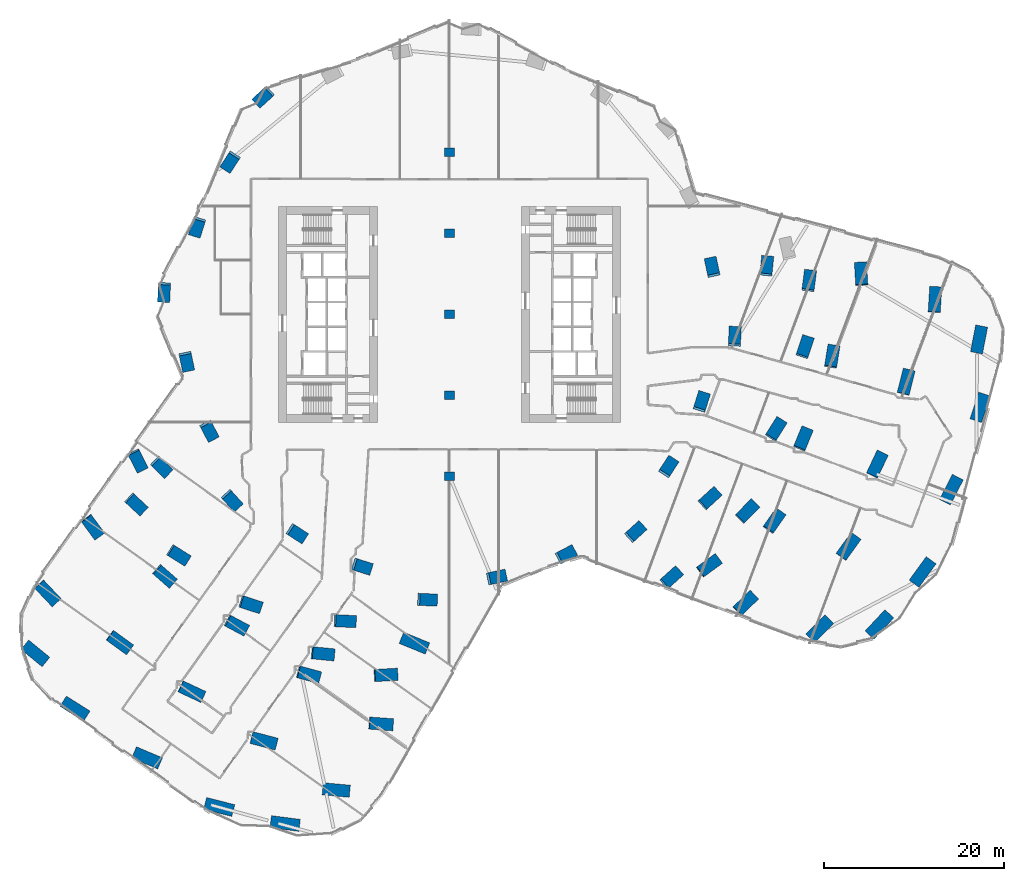
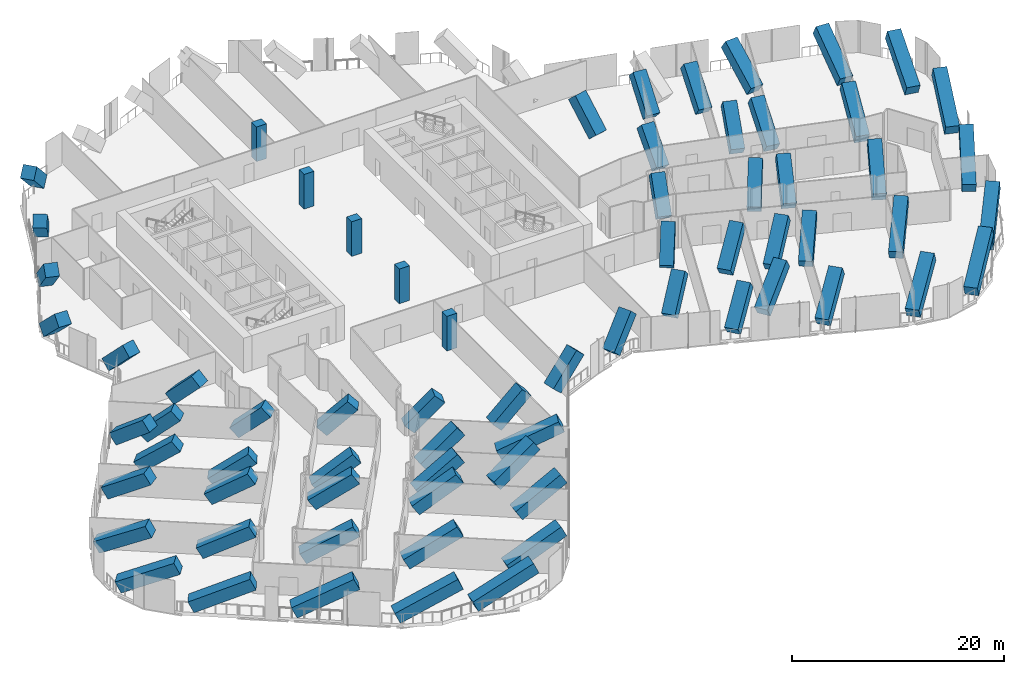
# One storey, part 1 of 34: 69 columns.
"""IFC4 building model written with IfcOpenShell, lengths in metres."""

from ifc_helpers import new_model, si_unit, direction, frame, origin, origin_2d, place, context, subcontext, project, spatial, rectangle, extrude, material, material_profile, profile_set, type_object, element, save


model = new_model("IFC4")

# Units and contexts
model_context = context("Model", 3, precision=1e-05, world=origin(), true_north=direction((0.0, 1.0)))
body_context = subcontext(model_context, "Body", "Model", "MODEL_VIEW")
ifc_project = project(units=[si_unit("LENGTHUNIT", "METRE"), si_unit("AREAUNIT", "SQUARE_METRE"), si_unit("VOLUMEUNIT", "CUBIC_METRE"), si_unit("PLANEANGLEUNIT", "RADIAN"), si_unit("MASSUNIT", "GRAM", prefix="KILO")], contexts=[model_context])

# Site, building, storey
site_placement = place(None, origin())
site = spatial("IfcSite", under=ifc_project, at=site_placement, CompositionType="ELEMENT")
building_placement = place(site_placement, origin())
building = spatial("IfcBuilding", under=site, at=building_placement, Name="Orlundy Tower", CompositionType="ELEMENT")
storey_placement = place(building_placement, frame((0.0, 0.0, 98.199951171875)))
storey = spatial("IfcBuildingStorey", under=building, at=storey_placement, Name="L24", CompositionType="ELEMENT", Elevation=98.199951171875)

# Columns
ifc_material_1 = material(Name="Concrete C80/95", Category="concrete")
ifc_material_profile_1 = material_profile(ifc_material_1, rectangle(XDim=1.10009765625, YDim=0.949951171875, at=origin_2d()), Name="RC1100X950")
ifc_profile_set_1 = profile_set([ifc_material_profile_1], Name="Concrete C80/95")
column_type_1 = type_object("IfcColumnType", Name="RC COLUMN RC1100X950 C80/95", PredefinedType="COLUMN", material=ifc_profile_set_1)
for number, where, z_axis, x_axis, name in (
    (1, (0.0, -18.0, 0.0), (0.0, 0.0, 1.0), (1.0, 0.0, 0.0), "Column C-M1 L24"),
    (2, (0.0, -9.0, 0.0), (0.0, 0.0, 1.0), (1.0, 0.0, 0.0), "Column C-M2 L24"),
    (3, (0.0, 0.0, 0.0), (0.0, 0.0, 1.0), (1.0, 0.0, 0.0), "Column C-M3 L24"),
    (4, (0.0, 9.0, 0.0), (0.0, 0.0, 1.0), (1.0, 0.0, 0.0), "Column C-M4 L24"),
    (5, (0.0, 18.0, 0.0), (0.0, 0.0, 1.0), (1.0, 0.0, 0.0), "Column C-M5 L24"),
):
    element("IfcColumn", number, at=place(storey_placement, frame(where, z_axis=z_axis, x_axis=x_axis)), inside=storey, type_object=column_type_1, Name=name, PredefinedType="COLUMN", context=body_context, shape_type="SweptSolid", body=[
        extrude(rectangle(XDim=1.10009765625, YDim=0.949951171875, at=origin_2d()), origin(), (0.0, 0.0, 1.0), 4.0),
    ])
ifc_material_2 = material(Name="Concrete C80/95", Category="concrete")
ifc_material_profile_2 = material_profile(ifc_material_2, rectangle(XDim=1.35009765625, YDim=1.35009765625, at=origin_2d()), Name="RC1350X1350")
ifc_profile_set_2 = profile_set([ifc_material_profile_2], Name="Concrete C80/95")
column_type_2 = type_object("IfcColumnType", Name="RC COLUMN RC1350X1350 C80/95", PredefinedType="COLUMN", material=ifc_profile_set_2)
column_1_placement = place(storey_placement, frame((24.115966796875, -29.72802734375, 0.533447265625), z_axis=(0.588562936708, 0.527580412901, 0.612578629612), x_axis=(-0.667477186845, 0.744630247197, 0.0)))
element("IfcColumn", 6, at=column_1_placement, inside=storey, type_object=column_type_2, Name="Column C-A1-1 L24 strut", PredefinedType="COLUMN", context=body_context, shape_type="SweptSolid", body=[
    extrude(rectangle(XDim=1.35009765625, YDim=1.35009765625, at=origin_2d()), origin(), (0.0, 0.0, 1.0), 4.7880859375),
])
column_2_placement = place(storey_placement, frame((32.202880859375, -32.751953125, 0.57763671875), z_axis=(0.618121959681, 0.5918840743, 0.517299222453), x_axis=(-0.691611232129, 0.722269965867, 0.0)))
element("IfcColumn", 7, at=column_2_placement, inside=storey, type_object=column_type_2, Name="Column C-A1-2 L24 strut", PredefinedType="COLUMN", context=body_context, shape_type="SweptSolid", body=[
    extrude(rectangle(XDim=1.35009765625, YDim=1.35009765625, at=origin_2d()), origin(), (0.0, 0.0, 1.0), 5.499267578125),
])
column_3_placement = place(storey_placement, frame((40.291015625, -35.77099609375, 0.604736328125), z_axis=(0.633459537703, 0.633459537703, 0.444362496376), x_axis=(-0.707106781187, 0.707106781187, 0.0)))
element("IfcColumn", 8, at=column_3_placement, inside=storey, type_object=column_type_2, Name="Column C-A1-3 L24 strut", PredefinedType="COLUMN", context=body_context, shape_type="SweptSolid", body=[
    extrude(rectangle(XDim=1.35009765625, YDim=1.35009765625, at=origin_2d()), origin(), (0.0, 0.0, 1.0), 6.27978515625),
])
column_4_placement = place(storey_placement, frame((46.846923828125, -35.444091796875, 0.61669921875), z_axis=(0.623125024098, 0.667995482081, 0.406813520255), x_axis=(-0.731239489111, 0.682120817426, 0.0)))
element("IfcColumn", 9, at=column_4_placement, inside=storey, type_object=column_type_2, Name="Column C-A1-5 L24 strut", PredefinedType="COLUMN", context=body_context, shape_type="SweptSolid", body=[
    extrude(rectangle(XDim=1.35009765625, YDim=1.35009765625, at=origin_2d()), origin(), (0.0, 0.0, 1.0), 6.80126953125),
])
column_5_placement = place(storey_placement, frame((28.114013671875, -28.43994140625, 0.570068359375), z_axis=(0.681532831914, 0.498259654452, 0.535957382418), x_axis=(-0.590183693134, 0.807268981417, 0.0)))
element("IfcColumn", 10, at=column_5_placement, inside=storey, type_object=column_type_2, Name="Column C-A1-6 L24 strut", PredefinedType="COLUMN", context=body_context, shape_type="SweptSolid", body=[
    extrude(rectangle(XDim=1.35009765625, YDim=1.35009765625, at=origin_2d()), origin(), (0.0, 0.0, 1.0), 5.33642578125),
])
column_6_placement = place(storey_placement, frame((35.60009765625, -23.666015625, 0.562255859375), z_axis=(0.478128500861, 0.682101182208, 0.553291165568), x_axis=(-0.818860826557, 0.573992113822, 0.0)))
element("IfcColumn", 11, at=column_6_placement, inside=storey, type_object=column_type_2, Name="Column C-A2-2 L24 strut", PredefinedType="COLUMN", context=body_context, shape_type="SweptSolid", body=[
    extrude(rectangle(XDim=1.35009765625, YDim=1.35009765625, at=origin_2d()), origin(), (0.0, 0.0, 1.0), 5.197021484375),
])
column_7_placement = place(storey_placement, frame((43.68603515625, -26.68896484375, 0.595458984375), z_axis=(0.514338742712, 0.716602187148, 0.471101860663), x_axis=(-0.812401538839, 0.583098396235, 0.0)))
element("IfcColumn", 12, at=column_7_placement, inside=storey, type_object=column_type_2, Name="Column C-A2-3 L24 strut", PredefinedType="COLUMN", context=body_context, shape_type="SweptSolid", body=[
    extrude(rectangle(XDim=1.35009765625, YDim=1.35009765625, at=origin_2d()), origin(), (0.0, 0.0, 1.0), 5.962890625),
])
column_8_placement = place(storey_placement, frame((51.77294921875, -29.712890625, 0.6162109375), z_axis=(0.537996520315, 0.737539868968, 0.40816012276), x_axis=(-0.80789955536, 0.589320208757, 0.0)))
element("IfcColumn", 13, at=column_8_placement, inside=storey, type_object=column_type_2, Name="Column C-A2-5 L24 strut", PredefinedType="COLUMN", context=body_context, shape_type="SweptSolid", body=[
    extrude(rectangle(XDim=1.35009765625, YDim=1.35009765625, at=origin_2d()), origin(), (0.0, 0.0, 1.0), 6.780517578125),
])
column_9_placement = place(storey_placement, frame((32.47802734375, -22.4990234375, 0.561279296875), z_axis=(0.584827103489, 0.59100203301, 0.555602246218), x_axis=(-0.710810388634, 0.703383672977, 0.0)))
element("IfcColumn", 14, at=column_9_placement, inside=storey, type_object=column_type_2, Name="Column C-A2-6 L24 strut", PredefinedType="COLUMN", context=body_context, shape_type="SweptSolid", body=[
    extrude(rectangle(XDim=1.35009765625, YDim=1.35009765625, at=origin_2d()), origin(), (0.0, 0.0, 1.0), 5.179443359375),
])
column_10_placement = place(storey_placement, frame((28.35595703125, -20.9580078125, 0.541748046875), z_axis=(0.592646625432, 0.54132053184, 0.596441161534), x_axis=(-0.674410944875, 0.738356199563, 0.0)))
element("IfcColumn", 15, at=column_10_placement, inside=storey, type_object=column_type_2, Name="Column C-A2-7 L24 strut", PredefinedType="COLUMN", context=body_context, shape_type="SweptSolid", body=[
    extrude(rectangle(XDim=1.35009765625, YDim=1.35009765625, at=origin_2d()), origin(), (0.0, 0.0, 1.0), 4.889892578125),
])
column_11_placement = place(storey_placement, frame((38.9970703125, -14.580078125, 0.553466796875), z_axis=(0.310782507683, 0.758869548286, 0.572303452377), x_axis=(-0.925403354822, 0.378983681555, 0.0)))
element("IfcColumn", 16, at=column_11_placement, inside=storey, type_object=column_type_2, Name="Column C-A3-2 L24 strut", PredefinedType="COLUMN", context=body_context, shape_type="SweptSolid", body=[
    extrude(rectangle(XDim=1.35009765625, YDim=1.35009765625, at=origin_2d()), origin(), (0.0, 0.0, 1.0), 5.05517578125),
])
column_12_placement = place(storey_placement, frame((47.0830078125, -17.60400390625, 0.58935546875), z_axis=(0.372353666966, 0.789462395389, 0.487956835143), x_axis=(-0.904446734387, 0.42658657346, 0.0)))
element("IfcColumn", 17, at=column_12_placement, inside=storey, type_object=column_type_2, Name="Column C-A3-3 L24 strut", PredefinedType="COLUMN", context=body_context, shape_type="SweptSolid", body=[
    extrude(rectangle(XDim=1.35009765625, YDim=1.35009765625, at=origin_2d()), origin(), (0.0, 0.0, 1.0), 5.7822265625),
])
column_13_placement = place(storey_placement, frame((55.169921875, -20.626953125, 0.61181640625), z_axis=(0.416038371719, 0.805254732153, 0.422465252539), x_axis=(-0.888430364054, 0.459011424942, 0.0)))
element("IfcColumn", 18, at=column_13_placement, inside=storey, type_object=column_type_2, Name="Column C-A3-5 L24 strut", PredefinedType="COLUMN", context=body_context, shape_type="SweptSolid", body=[
    extrude(rectangle(XDim=1.35009765625, YDim=1.35009765625, at=origin_2d()), origin(), (0.0, 0.0, 1.0), 6.57177734375),
])
column_14_placement = place(storey_placement, frame((35.875, -13.4130859375, 0.5439453125), z_axis=(0.430023456329, 0.681544736858, 0.592095092589), x_axis=(-0.845727400457, 0.533615183551, 0.0)))
element("IfcColumn", 19, at=column_14_placement, inside=storey, type_object=column_type_2, Name="Column C-A3-6 L24 strut", PredefinedType="COLUMN", context=body_context, shape_type="SweptSolid", body=[
    extrude(rectangle(XDim=1.35009765625, YDim=1.35009765625, at=origin_2d()), origin(), (0.0, 0.0, 1.0), 4.918212890625),
])
column_15_placement = place(storey_placement, frame((42.39404296875, -5.4951171875, 0.55517578125), z_axis=(0.129284388945, 0.812363334327, 0.568639921054), x_axis=(-0.987571860443, 0.157168128006, 0.0)))
element("IfcColumn", 20, at=column_15_placement, inside=storey, type_object=column_type_2, Name="Column C-A4-2 L24 strut", PredefinedType="COLUMN", context=body_context, shape_type="SweptSolid", body=[
    extrude(rectangle(XDim=1.35009765625, YDim=1.35009765625, at=origin_2d()), origin(), (0.0, 0.0, 1.0), 5.081787109375),
])
column_16_placement = place(storey_placement, frame((50.47998046875, -8.51806640625, 0.588134765625), z_axis=(0.215420955051, 0.844110563968, 0.4909899876), x_axis=(-0.968944293567, 0.247279105393, 0.0)))
element("IfcColumn", 21, at=column_16_placement, inside=storey, type_object=column_type_2, Name="Column C-A4-3 L24 strut", PredefinedType="COLUMN", context=body_context, shape_type="SweptSolid", body=[
    extrude(rectangle(XDim=1.35009765625, YDim=1.35009765625, at=origin_2d()), origin(), (0.0, 0.0, 1.0), 5.751708984375),
])
column_17_placement = place(storey_placement, frame((58.56689453125, -11.541015625, 0.610107421875), z_axis=(0.280143722582, 0.859332883702, 0.427862699573), x_axis=(-0.950753812391, 0.309947073263, 0.0)))
element("IfcColumn", 22, at=column_17_placement, inside=storey, type_object=column_type_2, Name="Column C-A4-5 L24 strut", PredefinedType="COLUMN", context=body_context, shape_type="SweptSolid", body=[
    extrude(rectangle(XDim=1.35009765625, YDim=1.35009765625, at=origin_2d()), origin(), (0.0, 0.0, 1.0), 6.496826171875),
])
column_18_placement = place(storey_placement, frame((39.27197265625, -4.326904296875, 0.536865234375), z_axis=(0.249154364941, 0.755002493761, 0.606542114651), x_axis=(-0.949627323304, 0.313381471748, 0.0)))
element("IfcColumn", 23, at=column_18_placement, inside=storey, type_object=column_type_2, Name="Column C-A4-6 L24 strut", PredefinedType="COLUMN", context=body_context, shape_type="SweptSolid", body=[
    extrude(rectangle(XDim=1.35009765625, YDim=1.35009765625, at=origin_2d()), origin(), (0.0, 0.0, 1.0), 4.824951171875),
])
column_19_placement = place(storey_placement, frame((45.791015625, 3.591064453125, 0.566650390625), z_axis=(-0.048562293401, 0.83791945715, 0.543629181509), x_axis=(-0.998324781517, -0.057858712476, 0.0)))
element("IfcColumn", 24, at=column_19_placement, inside=storey, type_object=column_type_2, Name="Column C-A5-2 L24 strut", PredefinedType="COLUMN", context=body_context, shape_type="SweptSolid", body=[
    extrude(rectangle(XDim=1.35009765625, YDim=1.35009765625, at=origin_2d()), origin(), (0.0, 0.0, 1.0), 5.273681640625),
])
column_20_placement = place(storey_placement, frame((53.8759765625, 0.56396484375, 0.592529296875), z_axis=(0.055611757913, 0.876123997886, 0.478867489719), x_axis=(-0.997991544692, 0.063347270839, 0.0)))
element("IfcColumn", 25, at=column_20_placement, inside=storey, type_object=column_type_2, Name="Column C-A5-3 L24 strut", PredefinedType="COLUMN", context=body_context, shape_type="SweptSolid", body=[
    extrude(rectangle(XDim=1.35009765625, YDim=1.35009765625, at=origin_2d()), origin(), (0.0, 0.0, 1.0), 5.87841796875),
])
column_21_placement = place(storey_placement, frame((58.60888671875, -3.985107421875, 0.60546875), z_axis=(0.170386333784, 0.88047137983, 0.442423605337), x_axis=(-0.981785567068, 0.18999236905, 0.0)))
element("IfcColumn", 26, at=column_21_placement, inside=storey, type_object=column_type_2, Name="Column C-A5-5 L24 strut", PredefinedType="COLUMN", context=body_context, shape_type="SweptSolid", body=[
    extrude(rectangle(XDim=1.35009765625, YDim=1.35009765625, at=origin_2d()), origin(), (0.0, 0.0, 1.0), 6.3046875),
])
column_22_placement = place(storey_placement, frame((39.8759765625, 3.02001953125, 0.528076171875), z_axis=(0.100328455667, 0.775763177293, 0.622997346495), x_axis=(-0.991740509053, 0.128260526677, 0.0)))
element("IfcColumn", 27, at=column_22_placement, inside=storey, type_object=column_type_2, Name="Column C-A5-6 L24 strut", PredefinedType="COLUMN", context=body_context, shape_type="SweptSolid", body=[
    extrude(rectangle(XDim=1.35009765625, YDim=1.35009765625, at=origin_2d()), origin(), (0.0, 0.0, 1.0), 4.7255859375),
])
column_23_placement = place(storey_placement, frame((35.193115234375, 4.77099609375, 0.491943359375), z_axis=(0.073314548038, 0.725221081003, 0.684601607298), x_axis=(-0.994928969768, 0.100580043326, 0.0)))
element("IfcColumn", 28, at=column_23_placement, inside=storey, type_object=column_type_2, Name="Column C-A5-7 L24 strut", PredefinedType="COLUMN", context=body_context, shape_type="SweptSolid", body=[
    extrude(rectangle(XDim=1.35009765625, YDim=1.35009765625, at=origin_2d()), origin(), (0.0, 0.0, 1.0), 4.40576171875),
])
column_24_placement = place(storey_placement, frame((-34.95703125, -15.60009765625, 0.53369140625), z_axis=(0.357328867204, -0.705071857263, 0.612527351844), x_axis=(0.891988612188, 0.452057867675, 0.0)))
element("IfcColumn", 29, at=column_24_placement, inside=storey, type_object=column_type_2, Name="Column C-B1-1 L24 strut", PredefinedType="COLUMN", context=body_context, shape_type="SweptSolid", body=[
    extrude(rectangle(XDim=1.35009765625, YDim=1.35009765625, at=origin_2d()), origin(), (0.0, 0.0, 1.0), 4.7880859375),
])
column_25_placement = place(storey_placement, frame((-40.1640625, -22.89990234375, 0.566650390625), z_axis=(0.497397176201, -0.676050908792, 0.543646224882), x_axis=(0.805479866843, 0.592623138352, 0.0)))
element("IfcColumn", 30, at=column_25_placement, inside=storey, type_object=column_type_2, Name="Column C-B1-2 L24 strut", PredefinedType="COLUMN", context=body_context, shape_type="SweptSolid", body=[
    extrude(rectangle(XDim=1.35009765625, YDim=1.35009765625, at=origin_2d()), origin(), (0.0, 0.0, 1.0), 5.2734375),
])
column_26_placement = place(storey_placement, frame((-45.37109375, -30.199951171875, 0.592529296875), z_axis=(0.602031387632, -0.638952324691, 0.478850848468), x_axis=(0.727822118455, 0.685765968744, 0.0)))
element("IfcColumn", 31, at=column_26_placement, inside=storey, type_object=column_type_2, Name="Column C-B1-3 L24 strut", PredefinedType="COLUMN", context=body_context, shape_type="SweptSolid", body=[
    extrude(rectangle(XDim=1.35009765625, YDim=1.35009765625, at=origin_2d()), origin(), (0.0, 0.0, 1.0), 5.87841796875),
])
column_27_placement = place(storey_placement, frame((-46.94189453125, -36.89111328125, 0.60546875), z_axis=(0.693115832957, -0.569083763402, 0.442418481006), x_axis=(0.634565373969, 0.772869190846, 0.0)))
element("IfcColumn", 32, at=column_27_placement, inside=storey, type_object=column_type_2, Name="Column C-B1-5 L24 strut", PredefinedType="COLUMN", context=body_context, shape_type="SweptSolid", body=[
    extrude(rectangle(XDim=1.35009765625, YDim=1.35009765625, at=origin_2d()), origin(), (0.0, 0.0, 1.0), 6.3046875),
])
column_28_placement = place(storey_placement, frame((-35.327880859375, -20.60888671875, 0.528076171875), z_axis=(0.572340427973, -0.533233856624, 0.622967164991), x_axis=(0.681668558156, 0.731661107906, 0.0)))
element("IfcColumn", 33, at=column_28_placement, inside=storey, type_object=column_type_2, Name="Column C-B1-6 L24 strut", PredefinedType="COLUMN", context=body_context, shape_type="SweptSolid", body=[
    extrude(rectangle(XDim=1.35009765625, YDim=1.35009765625, at=origin_2d()), origin(), (0.0, 0.0, 1.0), 4.725830078125),
])
column_29_placement = place(storey_placement, frame((-32.424072265625, -16.5390625, 0.4921875), z_axis=(0.519558048031, -0.511356833109, 0.684524377914), x_axis=(0.701459353772, 0.712709460443, 0.0)))
element("IfcColumn", 34, at=column_29_placement, inside=storey, type_object=column_type_2, Name="Column C-B1-7 L24 strut", PredefinedType="COLUMN", context=body_context, shape_type="SweptSolid", body=[
    extrude(rectangle(XDim=1.35009765625, YDim=1.35009765625, at=origin_2d()), origin(), (0.0, 0.0, 1.0), 4.40576171875),
])
column_30_placement = place(storey_placement, frame((-32.26708984375, -28.532958984375, 0.55517578125), z_axis=(0.618188651788, -0.542608770763, 0.568698964912), x_axis=(0.659670030756, 0.751555354264, 0.0)))
element("IfcColumn", 35, at=column_30_placement, inside=storey, type_object=column_type_2, Name="Column C-B2-2 L24 strut", PredefinedType="COLUMN", context=body_context, shape_type="SweptSolid", body=[
    extrude(rectangle(XDim=1.35009765625, YDim=1.35009765625, at=origin_2d()), origin(), (0.0, 0.0, 1.0), 5.0810546875),
])
column_31_placement = place(storey_placement, frame((-37.47412109375, -35.8330078125, 0.588134765625), z_axis=(0.704647222217, -0.512335659522, 0.490901684867), x_axis=(0.58807030775, 0.808809812714, 0.0)))
element("IfcColumn", 36, at=column_31_placement, inside=storey, type_object=column_type_2, Name="Column C-B2-3 L24 strut", PredefinedType="COLUMN", context=body_context, shape_type="SweptSolid", body=[
    extrude(rectangle(XDim=1.35009765625, YDim=1.35009765625, at=origin_2d()), origin(), (0.0, 0.0, 1.0), 5.752197265625),
])
column_32_placement = place(storey_placement, frame((-42.680908203125, -43.133056640625, 0.610107421875), z_axis=(0.764172274893, -0.482680609314, 0.42785530694), x_axis=(0.534028967558, 0.845466180168, 0.0)))
element("IfcColumn", 37, at=column_32_placement, inside=storey, type_object=column_type_2, Name="Column C-B2-5 L24 strut", PredefinedType="COLUMN", context=body_context, shape_type="SweptSolid", body=[
    extrude(rectangle(XDim=1.35009765625, YDim=1.35009765625, at=origin_2d()), origin(), (0.0, 0.0, 1.0), 6.4970703125),
])
column_33_placement = place(storey_placement, frame((-30.718994140625, -26.362060546875, 0.536865234375), z_axis=(0.673755446544, -0.422134401511, 0.606511455221), x_axis=(0.530936748584, 0.847411452013, 0.0)))
element("IfcColumn", 38, at=column_33_placement, inside=storey, type_object=column_type_2, Name="Column C-B2-6 L24 strut", PredefinedType="COLUMN", context=body_context, shape_type="SweptSolid", body=[
    extrude(rectangle(XDim=1.35009765625, YDim=1.35009765625, at=origin_2d()), origin(), (0.0, 0.0, 1.0), 4.8251953125),
])
column_34_placement = place(storey_placement, frame((-24.3701171875, -34.166015625, 0.553466796875), z_axis=(0.723657942308, -0.38573518321, 0.572300228), x_axis=(0.470383419511, 0.882462145731, 0.0)))
element("IfcColumn", 39, at=column_34_placement, inside=storey, type_object=column_type_2, Name="Column C-B3-2 L24 strut", PredefinedType="COLUMN", context=body_context, shape_type="SweptSolid", body=[
    extrude(rectangle(XDim=1.35009765625, YDim=1.35009765625, at=origin_2d()), origin(), (0.0, 0.0, 1.0), 5.05517578125),
])
column_35_placement = place(storey_placement, frame((-29.576904296875, -41.466064453125, 0.589111328125), z_axis=(0.790481731796, -0.369986668034, 0.488107055033), x_axis=(0.423915616094, 0.905701689538, 0.0)))
element("IfcColumn", 40, at=column_35_placement, inside=storey, type_object=column_type_2, Name="Column C-B3-3 L24 strut", PredefinedType="COLUMN", context=body_context, shape_type="SweptSolid", body=[
    extrude(rectangle(XDim=1.35009765625, YDim=1.35009765625, at=origin_2d()), origin(), (0.0, 0.0, 1.0), 5.781005859375),
])
column_36_placement = place(storey_placement, frame((-34.783935546875, -48.76611328125, 0.61181640625), z_axis=(0.834299149524, -0.35421864773, 0.422461925745), x_axis=(0.39080560624, 0.920473235967, 0.0)))
element("IfcColumn", 41, at=column_36_placement, inside=storey, type_object=column_type_2, Name="Column C-B3-5 L24 strut", PredefinedType="COLUMN", context=body_context, shape_type="SweptSolid", body=[
    extrude(rectangle(XDim=1.35009765625, YDim=1.35009765625, at=origin_2d()), origin(), (0.0, 0.0, 1.0), 6.57177734375),
])
column_37_placement = place(storey_placement, frame((-22.822021484375, -31.9951171875, 0.5439453125), z_axis=(0.76622208447, -0.249848553778, 0.592013021347), x_axis=(0.310013339183, 0.950732207053, 0.0)))
element("IfcColumn", 42, at=column_37_placement, inside=storey, type_object=column_type_2, Name="Column C-B3-6 L24 strut", PredefinedType="COLUMN", context=body_context, shape_type="SweptSolid", body=[
    extrude(rectangle(XDim=1.35009765625, YDim=1.35009765625, at=origin_2d()), origin(), (0.0, 0.0, 1.0), 4.9189453125),
])
column_38_placement = place(storey_placement, frame((-16.472900390625, -39.799072265625, 0.562255859375), z_axis=(0.803489718201, -0.21971009191, 0.553291738831), x_axis=(0.263761556788, 0.964587912614, 0.0)))
element("IfcColumn", 43, at=column_38_placement, inside=storey, type_object=column_type_2, Name="Column C-B4-2 L24 strut", PredefinedType="COLUMN", context=body_context, shape_type="SweptSolid", body=[
    extrude(rectangle(XDim=1.35009765625, YDim=1.35009765625, at=origin_2d()), origin(), (0.0, 0.0, 1.0), 5.197021484375),
])
column_39_placement = place(storey_placement, frame((-21.679931640625, -47.097900390625, 0.595458984375), z_axis=(0.853278071018, -0.223555579067, 0.471104485851), x_axis=(0.253442130639, 0.967350549913, 0.0)))
element("IfcColumn", 44, at=column_39_placement, inside=storey, type_object=column_type_2, Name="Column C-B4-3 L24 strut", PredefinedType="COLUMN", context=body_context, shape_type="SweptSolid", body=[
    extrude(rectangle(XDim=1.35009765625, YDim=1.35009765625, at=origin_2d()), origin(), (0.0, 0.0, 1.0), 5.962646484375),
])
column_40_placement = place(storey_placement, frame((-26.886962890625, -54.39794921875, 0.6162109375), z_axis=(0.884883669901, -0.224461458258, 0.408164114664), x_axis=(0.245875069926, 0.969301526868, 0.0)))
element("IfcColumn", 45, at=column_40_placement, inside=storey, type_object=column_type_2, Name="Column C-B4-5 L24 strut", PredefinedType="COLUMN", context=body_context, shape_type="SweptSolid", body=[
    extrude(rectangle(XDim=1.35009765625, YDim=1.35009765625, at=origin_2d()), origin(), (0.0, 0.0, 1.0), 6.780517578125),
])
column_41_placement = place(storey_placement, frame((-14.925048828125, -37.6279296875, 0.561279296875), z_axis=(0.827494463111, -0.081495666822, 0.555528009924), x_axis=(0.098010679686, 0.995185362969, 0.0)))
element("IfcColumn", 46, at=column_41_placement, inside=storey, type_object=column_type_2, Name="Column C-B4-6 L24 strut", PredefinedType="COLUMN", context=body_context, shape_type="SweptSolid", body=[
    extrude(rectangle(XDim=1.35009765625, YDim=1.35009765625, at=origin_2d()), origin(), (0.0, 0.0, 1.0), 5.1796875),
])
column_42_placement = place(storey_placement, frame((-12.3701171875, -34.044921875, 0.541748046875), z_axis=(0.801721304484, -0.038445874351, 0.596460279216), x_axis=(0.047899120468, 0.998852178382, 0.0)))
element("IfcColumn", 47, at=column_42_placement, inside=storey, type_object=column_type_2, Name="Column C-B4-7 L24 strut", PredefinedType="COLUMN", context=body_context, shape_type="SweptSolid", body=[
    extrude(rectangle(XDim=1.35009765625, YDim=1.35009765625, at=origin_2d()), origin(), (0.0, 0.0, 1.0), 4.8896484375),
])
column_43_placement = place(storey_placement, frame((-8.575927734375, -45.430908203125, 0.57763671875), z_axis=(0.853552299411, -0.061145641259, 0.517406689873), x_axis=(0.071453557827, 0.997443927784, 0.0)))
element("IfcColumn", 48, at=column_43_placement, inside=storey, type_object=column_type_2, Name="Column C-B5-2 L24 strut", PredefinedType="COLUMN", context=body_context, shape_type="SweptSolid", body=[
    extrude(rectangle(XDim=1.35009765625, YDim=1.35009765625, at=origin_2d()), origin(), (0.0, 0.0, 1.0), 5.498046875),
])
column_44_placement = place(storey_placement, frame((-13.782958984375, -52.73095703125, 0.604736328125), z_axis=(0.891988724473, -0.083266793682, 0.444322806621), x_axis=(0.092945511345, 0.995671196691, 0.0)))
element("IfcColumn", 49, at=column_44_placement, inside=storey, type_object=column_type_2, Name="Column C-B5-3 L24 strut", PredefinedType="COLUMN", context=body_context, shape_type="SweptSolid", body=[
    extrude(rectangle(XDim=1.35009765625, YDim=1.35009765625, at=origin_2d()), origin(), (0.0, 0.0, 1.0), 6.280517578125),
])
column_45_placement = place(storey_placement, frame((-19.59912109375, -56.39501953125, 0.61669921875), z_axis=(0.906052673299, -0.116451460863, 0.406826265709), x_axis=(0.127477562547, 0.991841454592, 0.0)))
element("IfcColumn", 50, at=column_45_placement, inside=storey, type_object=column_type_2, Name="Column C-B5-5 L24 strut", PredefinedType="COLUMN", context=body_context, shape_type="SweptSolid", body=[
    extrude(rectangle(XDim=1.35009765625, YDim=1.35009765625, at=origin_2d()), origin(), (0.0, 0.0, 1.0), 6.801025390625),
])
column_46_placement = place(storey_placement, frame((-7.985107421875, -40.113037109375, 0.570068359375), z_axis=(0.8427337001, 0.05155019974, 0.53585677902), x_axis=(-0.061056089739, 0.998134336603, 0.0)))
element("IfcColumn", 51, at=column_46_placement, inside=storey, type_object=column_type_2, Name="Column C-B5-6 L24 strut", PredefinedType="COLUMN", context=body_context, shape_type="SweptSolid", body=[
    extrude(rectangle(XDim=1.35009765625, YDim=1.35009765625, at=origin_2d()), origin(), (0.0, 0.0, 1.0), 5.33740234375),
])
column_47_placement = place(storey_placement, frame((-5.0810546875, -36.0419921875, 0.611328125), z_axis=(0.838787270737, -0.341442338342, 0.424090844085), x_axis=(0.377026202112, 0.926202592806, 0.0)))
element("IfcColumn", 52, at=column_47_placement, inside=storey, type_object=column_type_2, Name="Column C-B5-7 L24 strut", PredefinedType="COLUMN", context=body_context, shape_type="SweptSolid", body=[
    extrude(rectangle(XDim=1.35009765625, YDim=1.35009765625, at=origin_2d()), origin(), (0.0, 0.0, 1.0), 6.548828125),
])
column_48_placement = place(storey_placement, frame((29.302001953125, 4.714111328125, 0.466552734375), z_axis=(-0.14323977711, 0.676218305191, 0.722641799218), x_axis=(-0.97829295653, -0.207226666249, 0.0)))
element("IfcColumn", 53, at=column_48_placement, inside=storey, type_object=column_type_2, Name="Column C-H03 L24 strut", PredefinedType="COLUMN", context=body_context, shape_type="SweptSolid", body=[
    extrude(rectangle(XDim=1.35009765625, YDim=1.35009765625, at=origin_2d()), origin(), (0.0, 0.0, 1.0), 4.243896484375),
])
column_49_placement = place(storey_placement, frame((31.676025390625, -3.050048828125, 0.486328125), z_axis=(0.03343666302, 0.719838795512, 0.693335487366), x_axis=(-0.998922931625, 0.046400179673, 0.0)))
element("IfcColumn", 54, at=column_49_placement, inside=storey, type_object=column_type_2, Name="Column C-H04 L24 strut", PredefinedType="COLUMN", context=body_context, shape_type="SweptSolid", body=[
    extrude(rectangle(XDim=1.35009765625, YDim=1.35009765625, at=origin_2d()), origin(), (0.0, 0.0, 1.0), 4.366455078125),
])
for number, where, z_axis, x_axis, name in (
    (55, (27.864013671875, -10.218017578125, 0.466552734375), (0.205700307178, 0.659955152196, 0.722597108157), (-0.954700334487, 0.297568935425, 0.0), "Column C-H05 L24 strut"),
    (56, (24.052978515625, -17.386962890625, 0.466552734375), (0.376765381289, 0.57958595143, 0.722584232023), (-0.838420802366, 0.54502344735, 0.0), "Column C-H06 L24 strut"),
):
    element("IfcColumn", number, at=place(storey_placement, frame(where, z_axis=z_axis, x_axis=x_axis)), inside=storey, type_object=column_type_2, Name=name, PredefinedType="COLUMN", context=body_context, shape_type="SweptSolid", body=[
        extrude(rectangle(XDim=1.35009765625, YDim=1.35009765625, at=origin_2d()), origin(), (0.0, 0.0, 1.0), 4.244384765625),
    ])
column_50_placement = place(storey_placement, frame((20.240966796875, -24.554931640625, 0.486328125), z_axis=(0.532701381088, 0.485285534425, 0.693344927626), x_axis=(-0.673441000997, 0.739240974363, 0.0)))
element("IfcColumn", 57, at=column_50_placement, inside=storey, type_object=column_type_2, Name="Column C-H07 L24 strut", PredefinedType="COLUMN", context=body_context, shape_type="SweptSolid", body=[
    extrude(rectangle(XDim=1.35009765625, YDim=1.35009765625, at=origin_2d()), origin(), (0.0, 0.0, 1.0), 4.3662109375),
])
column_51_placement = place(storey_placement, frame((12.47802734375, -26.928955078125, 0.466796875), z_axis=(0.612093610038, 0.32137646831, 0.722536212357), x_axis=(-0.464864881362, 0.885381636401, 0.0)))
element("IfcColumn", 58, at=column_51_placement, inside=storey, type_object=column_type_2, Name="Column C-H08 L24 strut", PredefinedType="COLUMN", context=body_context, shape_type="SweptSolid", body=[
    extrude(rectangle(XDim=1.35009765625, YDim=1.35009765625, at=origin_2d()), origin(), (0.0, 0.0, 1.0), 4.244384765625),
])
column_52_placement = place(storey_placement, frame((4.714111328125, -29.302001953125, 0.466552734375), z_axis=(0.676218305191, 0.14323977711, 0.722641799218), x_axis=(-0.207226666249, 0.97829295653, 0.0)))
element("IfcColumn", 59, at=column_52_placement, inside=storey, type_object=column_type_2, Name="Column C-H09 L24 strut", PredefinedType="COLUMN", context=body_context, shape_type="SweptSolid", body=[
    extrude(rectangle(XDim=1.35009765625, YDim=1.35009765625, at=origin_2d()), origin(), (0.0, 0.0, 1.0), 4.243896484375),
])
column_53_placement = place(storey_placement, frame((-3.050048828125, -31.676025390625, 0.486328125), z_axis=(0.719838795512, -0.03343666302, 0.693335487366), x_axis=(0.046400179673, 0.998922931625, 0.0)))
element("IfcColumn", 60, at=column_53_placement, inside=storey, type_object=column_type_2, Name="Column C-H10 L24 strut", PredefinedType="COLUMN", context=body_context, shape_type="SweptSolid", body=[
    extrude(rectangle(XDim=1.35009765625, YDim=1.35009765625, at=origin_2d()), origin(), (0.0, 0.0, 1.0), 4.366455078125),
])
for number, where, z_axis, x_axis, name in (
    (61, (-10.218017578125, -27.864013671875, 0.466552734375), (0.659955152196, -0.205700307178, 0.722597108157), (0.297568935425, 0.954700334487, 0.0), "Column C-H11 L24 strut"),
    (62, (-17.386962890625, -24.052978515625, 0.466552734375), (0.57958595143, -0.376765381289, 0.722584232023), (0.54502344735, 0.838420802366, 0.0), "Column C-H12 L24 strut"),
):
    element("IfcColumn", number, at=place(storey_placement, frame(where, z_axis=z_axis, x_axis=x_axis)), inside=storey, type_object=column_type_2, Name=name, PredefinedType="COLUMN", context=body_context, shape_type="SweptSolid", body=[
        extrude(rectangle(XDim=1.35009765625, YDim=1.35009765625, at=origin_2d()), origin(), (0.0, 0.0, 1.0), 4.244384765625),
    ])
column_54_placement = place(storey_placement, frame((-24.554931640625, -20.240966796875, 0.486328125), z_axis=(0.485285534425, -0.532701381088, 0.693344927626), x_axis=(0.739240974363, 0.673441000997, 0.0)))
element("IfcColumn", 63, at=column_54_placement, inside=storey, type_object=column_type_2, Name="Column C-H13 L24 strut", PredefinedType="COLUMN", context=body_context, shape_type="SweptSolid", body=[
    extrude(rectangle(XDim=1.35009765625, YDim=1.35009765625, at=origin_2d()), origin(), (0.0, 0.0, 1.0), 4.3662109375),
])
column_55_placement = place(storey_placement, frame((-26.928955078125, -12.47802734375, 0.466796875), z_axis=(0.32137646831, -0.612093610038, 0.722536212357), x_axis=(0.885381636401, 0.464864881362, 0.0)))
element("IfcColumn", 64, at=column_55_placement, inside=storey, type_object=column_type_2, Name="Column C-H14 L24 strut", PredefinedType="COLUMN", context=body_context, shape_type="SweptSolid", body=[
    extrude(rectangle(XDim=1.35009765625, YDim=1.35009765625, at=origin_2d()), origin(), (0.0, 0.0, 1.0), 4.244384765625),
])
column_56_placement = place(storey_placement, frame((-29.302001953125, -4.714111328125, 0.466552734375), z_axis=(0.14323977711, -0.676218305191, 0.722641799218), x_axis=(0.97829295653, 0.207226666249, 0.0)))
element("IfcColumn", 65, at=column_56_placement, inside=storey, type_object=column_type_2, Name="Column C-H15 L24 strut", PredefinedType="COLUMN", context=body_context, shape_type="SweptSolid", body=[
    extrude(rectangle(XDim=1.35009765625, YDim=1.35009765625, at=origin_2d()), origin(), (0.0, 0.0, 1.0), 4.243896484375),
])
column_57_placement = place(storey_placement, frame((-31.676025390625, 3.050048828125, 0.486328125), z_axis=(-0.03343666302, -0.719838795512, 0.693335487366), x_axis=(0.998922931625, -0.046400179673, 0.0)))
element("IfcColumn", 66, at=column_57_placement, inside=storey, type_object=column_type_2, Name="Column C-H16 L24 strut", PredefinedType="COLUMN", context=body_context, shape_type="SweptSolid", body=[
    extrude(rectangle(XDim=1.35009765625, YDim=1.35009765625, at=origin_2d()), origin(), (0.0, 0.0, 1.0), 4.366455078125),
])
for number, where, z_axis, x_axis, name in (
    (67, (-27.864013671875, 10.218017578125, 0.466552734375), (-0.205700307178, -0.659955152196, 0.722597108157), (0.954700334487, -0.297568935425, 0.0), "Column C-H17 L24 strut"),
    (68, (-24.052978515625, 17.386962890625, 0.466552734375), (-0.376765381289, -0.57958595143, 0.722584232023), (0.838420802366, -0.54502344735, 0.0), "Column C-H18 L24 strut"),
):
    element("IfcColumn", number, at=place(storey_placement, frame(where, z_axis=z_axis, x_axis=x_axis)), inside=storey, type_object=column_type_2, Name=name, PredefinedType="COLUMN", context=body_context, shape_type="SweptSolid", body=[
        extrude(rectangle(XDim=1.35009765625, YDim=1.35009765625, at=origin_2d()), origin(), (0.0, 0.0, 1.0), 4.244384765625),
    ])
column_58_placement = place(storey_placement, frame((-20.240966796875, 24.554931640625, 0.486328125), z_axis=(-0.532701381088, -0.485285534425, 0.693344927626), x_axis=(0.673441000997, -0.739240974363, 0.0)))
element("IfcColumn", 69, at=column_58_placement, inside=storey, type_object=column_type_2, Name="Column C-H19 L24 strut", PredefinedType="COLUMN", context=body_context, shape_type="SweptSolid", body=[
    extrude(rectangle(XDim=1.35009765625, YDim=1.35009765625, at=origin_2d()), origin(), (0.0, 0.0, 1.0), 4.3662109375),
])

save(model, "model.ifc")
